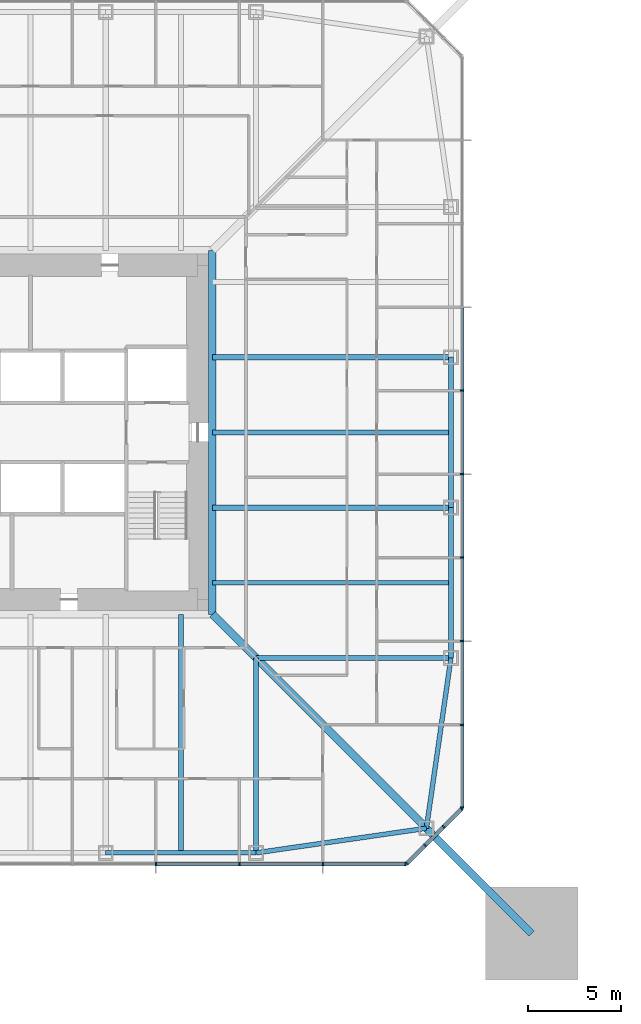
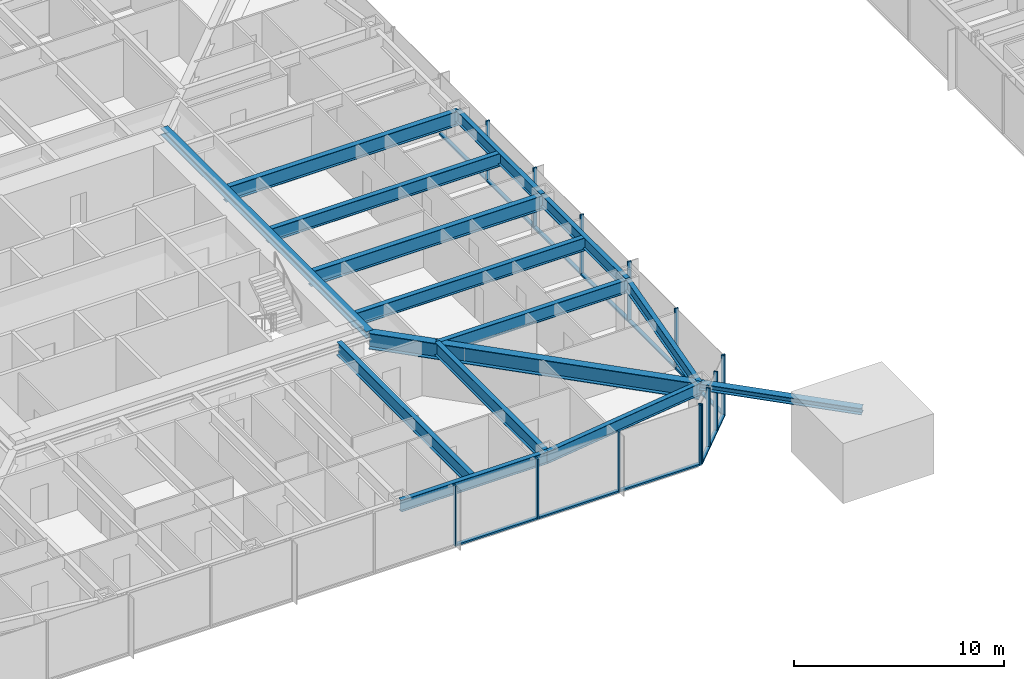
# One storey, part 5 of 26: 27 members, 14 beams, 3 elements without a shape of their own.
"""IFC4 building model written with IfcOpenShell, lengths in metres."""

import ifcopenshell
import ifcopenshell.guid

model = None  # the IFC model being written
_history = None  # IfcOwnerHistory: only IFC2X3 demands one
_inside = {}  # id of a spatial element -> (the spatial element, [elements in it])
_under = {}  # id of a project, library or spatial element -> (it, [spatial elements below it])
_declared = {}  # id of a project -> (the project, [libraries it declares])
_typed = {}  # id of a type object -> (the type object, [elements of that type])
_made_of = {}  # id of a material, layer set ... -> (it, [elements and type objects made of it])


def new_model(schema):
    """Start an empty IFC model of exactly this schema.

    Asked for "IFC4X3", IfcOpenShell would pick the latest addendum, in which some entities
    have other attributes; the version numbers below select the first issue.
    IFC2X3 requires an IfcOwnerHistory on every rooted entity: one is made here for all.
    """
    global model, _history
    if schema == "IFC4X3":
        model = ifcopenshell.file(schema_version=(4, 3, 0, 0))
    else:
        model = ifcopenshell.file(schema=schema)
    _inside.clear()
    _under.clear()
    _declared.clear()
    _typed.clear()
    _made_of.clear()
    _history = None
    if model.schema == "IFC2X3":
        org = make("IfcOrganization", Name="unknown")
        user = make(
            "IfcPersonAndOrganization",
            ThePerson=make("IfcPerson", FamilyName="unknown"),
            TheOrganization=org,
        )
        app = make(
            "IfcApplication",
            ApplicationDeveloper=org,
            Version="unknown",
            ApplicationFullName="unknown",
            ApplicationIdentifier="unknown",
        )
        _history = make(
            "IfcOwnerHistory",
            OwningUser=user,
            OwningApplication=app,
            ChangeAction="ADDED",
            CreationDate=0,
        )
    return model


def make(cls, **values):
    """One entity of the class cls with the attributes given. An attribute that is None is left unset."""
    return model.create_entity(
        cls, **{name: value for name, value in values.items() if value is not None}
    )


def rooted(cls, **values):
    """An entity with a GlobalId (a new one), such as an element, a storey or a relation."""
    return make(cls, GlobalId=ifcopenshell.guid.new(), OwnerHistory=_history, **values)


def si_unit(unit_type, name, prefix=None):
    """IfcSIUnit, for example si_unit("LENGTHUNIT", "METRE", prefix="MILLI")."""
    return make("IfcSIUnit", UnitType=unit_type, Prefix=prefix, Name=name)


def assignment(units):
    """IfcUnitAssignment: the units of a project."""
    return None if units is None else make("IfcUnitAssignment", Units=units)


def point(xyz):
    """IfcCartesianPoint."""
    return None if xyz is None else make("IfcCartesianPoint", Coordinates=xyz)


def direction(xyz):
    """IfcDirection."""
    return None if xyz is None else make("IfcDirection", DirectionRatios=xyz)


def frame(location, z_axis=None, x_axis=None):
    """IfcAxis2Placement3D, a coordinate frame: its origin and axes. An axis left out is left unset."""
    return make(
        "IfcAxis2Placement3D",
        Location=point(location),
        Axis=direction(z_axis),
        RefDirection=direction(x_axis),
    )


def frame_2d(location, x_axis=None):
    """IfcAxis2Placement2D, a coordinate frame in the plane: its origin and x axis."""
    return make(
        "IfcAxis2Placement2D", Location=point(location), RefDirection=direction(x_axis)
    )


def origin():
    """The frame at (0, 0, 0) with its axes left unset."""
    return frame((0.0, 0.0, 0.0))


def origin_2d():
    """The frame at (0, 0) in the plane with its x axis left unset."""
    return frame_2d((0.0, 0.0))


def place(relative_to, where):
    """IfcLocalPlacement: puts the frame where relative to a parent placement (None: the world)."""
    return make(
        "IfcLocalPlacement", PlacementRelTo=relative_to, RelativePlacement=where
    )


def context(
    kind, dimensions, precision=None, world=None, true_north=None, identifier=None
):
    """IfcGeometricRepresentationContext, for example the 3D "Model" context."""
    return make(
        "IfcGeometricRepresentationContext",
        ContextIdentifier=identifier,
        ContextType=kind,
        CoordinateSpaceDimension=dimensions,
        Precision=precision,
        WorldCoordinateSystem=world,
        TrueNorth=true_north,
    )


def subcontext(parent, identifier, kind, view, scale=None):
    """IfcGeometricRepresentationSubContext, for example "Body" below "Model"."""
    return make(
        "IfcGeometricRepresentationSubContext",
        ContextIdentifier=identifier,
        ContextType=kind,
        ParentContext=parent,
        TargetScale=scale,
        TargetView=view,
    )


def project(units=None, contexts=None):
    """IfcProject with its units and contexts."""
    return rooted(
        "IfcProject",
        Name="project",
        RepresentationContexts=contexts,
        UnitsInContext=assignment(units),
    )


def spatial(cls, under=None, at=None, **own):
    """A site, building, storey or space (cls), placed at a placement, below another one or the project."""
    s = rooted(cls, ObjectPlacement=at, **own)
    if under is not None:
        _under.setdefault(under.id(), (under, []))[1].append(s)
    return s


def profile(cls, at=None, kind="AREA", **sizes):
    """A parametric profile (cls). Its sizes go by their IFC names, for example OverallWidth=200.0."""
    return make(cls, ProfileType=kind, Position=at, **sizes)


def rectangle(**sizes):
    """IfcRectangleProfileDef."""
    return profile("IfcRectangleProfileDef", **sizes)


def i_section(**sizes):
    """IfcIShapeProfileDef."""
    return profile("IfcIShapeProfileDef", **sizes)


def extrude(swept, where, along, depth):
    """IfcExtrudedAreaSolid: the profile swept, set in the frame where, extruded along a direction by depth."""
    return make(
        "IfcExtrudedAreaSolid",
        SweptArea=swept,
        Position=where,
        ExtrudedDirection=direction(along),
        Depth=depth,
    )


def shape(context_of_items, identifier, shape_type, items):
    """IfcShapeRepresentation: the items that make up one representation, for example the "Body"."""
    return make(
        "IfcShapeRepresentation",
        ContextOfItems=context_of_items,
        RepresentationIdentifier=identifier,
        RepresentationType=shape_type,
        Items=items,
    )


def material(Name=None, Category=None):
    """IfcMaterial."""
    return make("IfcMaterial", Name=Name, Category=Category)


def material_profile(
    of_material, cross_section, Name=None, Category=None, Priority=None
):
    """IfcMaterialProfile: a cross section and its material."""
    return make(
        "IfcMaterialProfile",
        Name=Name,
        Material=of_material,
        Profile=cross_section,
        Priority=Priority,
        Category=Category,
    )


def profile_set(profiles, Name=None, composite=None):
    """IfcMaterialProfileSet."""
    return make(
        "IfcMaterialProfileSet",
        Name=Name,
        MaterialProfiles=profiles,
        CompositeProfile=composite,
    )


def made_of(thing, what):
    """Note that an element or type object is made of a material, layer set ...; save() writes the relation."""
    if what is not None:
        _made_of.setdefault(what.id(), (what, []))[1].append(thing)
    return thing


def type_object(cls, material=None, **own):
    """A type object (cls), such as IfcWallType, which elements share."""
    return made_of(rooted(cls, **own), material)


def element(
    cls,
    number,
    at=None,
    inside=None,
    cuts=None,
    type_object=None,
    material=None,
    context=None,
    identifier="Body",
    shape_type=None,
    held_by="IfcProductDefinitionShape",
    body=None,
    shapes=None,
    **own,
):
    """One element of the class cls, such as IfcWall. Its Tag is "e" and its number.

    at: its placement. inside: the storey or other place that contains it. cuts: it is an
    opening in that element (IfcRelVoidsElement). A single representation is given by context,
    identifier, shape_type and body (its items); several are given by shapes. held_by: the class
    of the entity that holds the representations. save() writes the other relations.
    """
    e = rooted(cls, Tag="e%d" % number, ObjectPlacement=at, **own)
    if body is not None:
        shapes = [shape(context, identifier, shape_type, body)]
    if shapes is not None:
        e.Representation = make(held_by, Representations=shapes)
    if inside is not None:
        _inside.setdefault(inside.id(), (inside, []))[1].append(e)
    if cuts is not None:
        rooted(
            "IfcRelVoidsElement", RelatingBuildingElement=cuts, RelatedOpeningElement=e
        )
    if type_object is not None:
        _typed.setdefault(type_object.id(), (type_object, []))[1].append(e)
    return made_of(e, material)


def aggregate(whole, parts):
    """IfcRelAggregates: a whole, such as a stair, and the parts it consists of."""
    return rooted("IfcRelAggregates", RelatingObject=whole, RelatedObjects=parts)


def save(model, path):
    """Write the relations noted so far, then the file.

    IfcRelAggregates (storeys below a building ...), IfcRelContainedInSpatialStructure (elements
    in a storey), IfcRelDefinesByType, IfcRelAssociatesMaterial and IfcRelDeclares: one each for
    every whole, place, type object, material and project.
    """
    for whole, parts in _under.values():
        aggregate(whole, parts)
    for where, things in _inside.values():
        rooted(
            "IfcRelContainedInSpatialStructure",
            RelatedElements=things,
            RelatingStructure=where,
        )
    for kind, things in _typed.values():
        rooted("IfcRelDefinesByType", RelatedObjects=things, RelatingType=kind)
    for what, things in _made_of.values():
        rooted("IfcRelAssociatesMaterial", RelatedObjects=things, RelatingMaterial=what)
    for by, libraries in _declared.values():
        rooted("IfcRelDeclares", RelatingContext=by, RelatedDefinitions=libraries)
    model.write(path)


model = new_model("IFC4")

# Units and contexts
model_context = context("Model", 3, precision=1e-05, world=origin(), true_north=direction((0.0, 1.0)))
body_context = subcontext(model_context, "Body", "Model", "MODEL_VIEW")
ifc_project = project(units=[si_unit("LENGTHUNIT", "METRE"), si_unit("AREAUNIT", "SQUARE_METRE"), si_unit("VOLUMEUNIT", "CUBIC_METRE"), si_unit("PLANEANGLEUNIT", "RADIAN"), si_unit("MASSUNIT", "GRAM", prefix="KILO")], contexts=[model_context])

# Site, building, storey
site_placement = place(None, origin())
site = spatial("IfcSite", under=ifc_project, at=site_placement, CompositionType="ELEMENT")
building_placement = place(site_placement, origin())
building = spatial("IfcBuilding", under=site, at=building_placement, Name="Iwan Alto Co-Living Towers", CompositionType="ELEMENT")
storey_placement = place(building_placement, frame((0.0, 0.0, 46.5)))
storey = spatial("IfcBuildingStorey", under=building, at=storey_placement, Name="L12", CompositionType="ELEMENT", Elevation=46.5)

# Curtain wall, members
ifc_material_1 = material(Name="Bronze aluminium unitised frame", Category="aluminium")
curtain_wall_type_1 = type_object("IfcCurtainWallType", Name="CURTAIN WALL CW-A", PredefinedType="NOTDEFINED", material=ifc_material_1)
curtain_wall_1_placement = place(storey_placement, origin())
curtain_wall_1 = element("IfcCurtainWall", 1, at=curtain_wall_1_placement, inside=storey, type_object=curtain_wall_type_1, Name="T1 curtain wall S L12", PredefinedType="NOTDEFINED")
ifc_material_2 = material(Name="Aluminium 6063-T6 bronze anodised", Category="aluminium")
ifc_material_profile_1 = material_profile(ifc_material_2, rectangle(XDim=0.199951171875, YDim=0.080078125, at=origin_2d()), Name="AL 80X200")
ifc_profile_set_1 = profile_set([ifc_material_profile_1], Name="Aluminium 6063-T6 bronze anodised")
member_type_1 = type_object("IfcMemberType", Name="CW-A MULLION 80X200", PredefinedType="MULLION", material=ifc_profile_set_1)
member_1_placement = place(storey_placement, frame((6.75, -23.25, 0.0), z_axis=(0.0, 0.0, 1.0), x_axis=(0.0, 1.0, 0.0)))
member_1 = element("IfcMember", 2, at=member_1_placement, type_object=member_type_1, Name="CW-A mullion 7", PredefinedType="MULLION", context=body_context, shape_type="SweptSolid", body=[
    extrude(rectangle(XDim=0.199951171875, YDim=0.080078125, at=origin_2d()), origin(), (0.0, 0.0, 1.0), 3.5),
])
member_2_placement = place(storey_placement, frame((11.25, -23.25, 0.0), z_axis=(0.0, 0.0, 1.0), x_axis=(0.0, 1.0, 0.0)))
member_2 = element("IfcMember", 3, at=member_2_placement, type_object=member_type_1, Name="CW-A mullion 8", PredefinedType="MULLION", context=body_context, shape_type="SweptSolid", body=[
    extrude(rectangle(XDim=0.199951171875, YDim=0.080078125, at=origin_2d()), origin(), (0.0, 0.0, 1.0), 3.5),
])
member_3_placement = place(storey_placement, frame((15.75, -23.25, 0.0), z_axis=(0.0, 0.0, 1.0), x_axis=(0.0, 1.0, 0.0)))
member_3 = element("IfcMember", 4, at=member_3_placement, type_object=member_type_1, Name="CW-A mullion 9", PredefinedType="MULLION", context=body_context, shape_type="SweptSolid", body=[
    extrude(rectangle(XDim=0.199951171875, YDim=0.080078125, at=origin_2d()), origin(), (0.0, 0.0, 1.0), 3.5),
])
member_4_placement = place(storey_placement, frame((20.2099609375, -23.25, 0.0), z_axis=(0.0, 0.0, 1.0), x_axis=(0.0, 1.0, 0.0)))
member_4 = element("IfcMember", 5, at=member_4_placement, type_object=member_type_1, Name="CW-A mullion 10", PredefinedType="MULLION", context=body_context, shape_type="SweptSolid", body=[
    extrude(rectangle(XDim=0.199951171875, YDim=0.080078125, at=origin_2d()), origin(), (0.0, 0.0, 1.0), 3.5),
])

curtain_wall_2_placement = place(storey_placement, origin())
curtain_wall_2 = element("IfcCurtainWall", 6, at=curtain_wall_2_placement, inside=storey, type_object=curtain_wall_type_1, Name="T1 curtain wall E L12", PredefinedType="NOTDEFINED")
member_5_placement = place(storey_placement, frame((23.25, -20.2099609375, 0.0), z_axis=(0.0, 0.0, 1.0), x_axis=(-1.0, 0.0, 0.0)))
member_5 = element("IfcMember", 7, at=member_5_placement, type_object=member_type_1, Name="CW-A mullion 1", PredefinedType="MULLION", context=body_context, shape_type="SweptSolid", body=[
    extrude(rectangle(XDim=0.199951171875, YDim=0.080078125, at=origin_2d()), origin(), (0.0, 0.0, 1.0), 3.5),
])
member_6_placement = place(storey_placement, frame((23.25, -15.75, 0.0), z_axis=(0.0, 0.0, 1.0), x_axis=(-1.0, 0.0, 0.0)))
member_6 = element("IfcMember", 8, at=member_6_placement, type_object=member_type_1, Name="CW-A mullion 2", PredefinedType="MULLION", context=body_context, shape_type="SweptSolid", body=[
    extrude(rectangle(XDim=0.199951171875, YDim=0.080078125, at=origin_2d()), origin(), (0.0, 0.0, 1.0), 3.5),
])
member_7_placement = place(storey_placement, frame((23.25, -11.25, 0.0), z_axis=(0.0, 0.0, 1.0), x_axis=(-1.0, 0.0, 0.0)))
member_7 = element("IfcMember", 9, at=member_7_placement, type_object=member_type_1, Name="CW-A mullion 3", PredefinedType="MULLION", context=body_context, shape_type="SweptSolid", body=[
    extrude(rectangle(XDim=0.199951171875, YDim=0.080078125, at=origin_2d()), origin(), (0.0, 0.0, 1.0), 3.5),
])
member_8_placement = place(storey_placement, frame((23.25, -6.75, 0.0), z_axis=(0.0, 0.0, 1.0), x_axis=(-1.0, 0.0, 0.0)))
member_8 = element("IfcMember", 10, at=member_8_placement, type_object=member_type_1, Name="CW-A mullion 4", PredefinedType="MULLION", context=body_context, shape_type="SweptSolid", body=[
    extrude(rectangle(XDim=0.199951171875, YDim=0.080078125, at=origin_2d()), origin(), (0.0, 0.0, 1.0), 3.5),
])
member_9_placement = place(storey_placement, frame((23.25, -2.25, 0.0), z_axis=(0.0, 0.0, 1.0), x_axis=(-1.0, 0.0, 0.0)))
member_9 = element("IfcMember", 11, at=member_9_placement, type_object=member_type_1, Name="CW-A mullion 5", PredefinedType="MULLION", context=body_context, shape_type="SweptSolid", body=[
    extrude(rectangle(XDim=0.199951171875, YDim=0.080078125, at=origin_2d()), origin(), (0.0, 0.0, 1.0), 3.5),
])
member_10_placement = place(storey_placement, frame((23.25, 2.25, 0.0), z_axis=(0.0, 0.0, 1.0), x_axis=(-1.0, 0.0, 0.0)))
member_10 = element("IfcMember", 12, at=member_10_placement, type_object=member_type_1, Name="CW-A mullion 6", PredefinedType="MULLION", context=body_context, shape_type="SweptSolid", body=[
    extrude(rectangle(XDim=0.199951171875, YDim=0.080078125, at=origin_2d()), origin(), (0.0, 0.0, 1.0), 3.5),
])

# Member
ifc_material_3 = material(Name="Aluminium 6063-T6 bronze anodised", Category="aluminium")
ifc_material_profile_2 = material_profile(ifc_material_3, rectangle(XDim=0.199951171875, YDim=0.10009765625, at=origin_2d()), Name="AL 200X100")
ifc_profile_set_2 = profile_set([ifc_material_profile_2], Name="Aluminium 6063-T6 bronze anodised")
member_type_2 = type_object("IfcMemberType", Name="CW-A TRANSOM 200X100", PredefinedType="USERDEFINED", material=ifc_profile_set_2)
member_11_placement = place(storey_placement, frame((6.7900390625, -23.25, 0.050048828125), z_axis=(1.0, 0.0, 0.0), x_axis=(0.0, 1.0, 0.0)))
member_11 = element("IfcMember", 13, at=member_11_placement, type_object=member_type_2, Name="CW-A transom 7.1", ObjectType="TRANSOM", PredefinedType="USERDEFINED", context=body_context, shape_type="SweptSolid", body=[
    extrude(rectangle(XDim=0.199951171875, YDim=0.10009765625, at=origin_2d()), origin(), (0.0, 0.0, 1.0), 4.419921875),
])

member_12_placement = place(storey_placement, frame((11.2900390625, -23.25, 0.050048828125), z_axis=(1.0, 0.0, 0.0), x_axis=(0.0, 1.0, 0.0)))
member_12 = element("IfcMember", 14, at=member_12_placement, type_object=member_type_2, Name="CW-A transom 8.1", ObjectType="TRANSOM", PredefinedType="USERDEFINED", context=body_context, shape_type="SweptSolid", body=[
    extrude(rectangle(XDim=0.199951171875, YDim=0.10009765625, at=origin_2d()), origin(), (0.0, 0.0, 1.0), 4.419921875),
])

member_13_placement = place(storey_placement, frame((15.7900390625, -23.25, 0.050048828125), z_axis=(1.0, 0.0, 0.0), x_axis=(0.0, 1.0, 0.0)))
member_13 = element("IfcMember", 15, at=member_13_placement, type_object=member_type_2, Name="CW-A transom 9.1", ObjectType="TRANSOM", PredefinedType="USERDEFINED", context=body_context, shape_type="SweptSolid", body=[
    extrude(rectangle(XDim=0.199951171875, YDim=0.10009765625, at=origin_2d()), origin(), (0.0, 0.0, 1.0), 4.3798828125),
])

aggregate(curtain_wall_1, [member_1, member_2, member_3, member_4, member_11, member_12, member_13])

member_14_placement = place(storey_placement, frame((23.25, -20.169921875, 0.050048828125), z_axis=(0.0, 1.0, 0.0), x_axis=(-1.0, 0.0, 0.0)))
member_14 = element("IfcMember", 16, at=member_14_placement, type_object=member_type_2, Name="CW-A transom 1.1", ObjectType="TRANSOM", PredefinedType="USERDEFINED", context=body_context, shape_type="SweptSolid", body=[
    extrude(rectangle(XDim=0.199951171875, YDim=0.10009765625, at=origin_2d()), origin(), (0.0, 0.0, 1.0), 4.3798828125),
])

member_15_placement = place(storey_placement, frame((23.25, -15.7099609375, 0.050048828125), z_axis=(0.0, 1.0, 0.0), x_axis=(-1.0, 0.0, 0.0)))
member_15 = element("IfcMember", 17, at=member_15_placement, type_object=member_type_2, Name="CW-A transom 2.1", ObjectType="TRANSOM", PredefinedType="USERDEFINED", context=body_context, shape_type="SweptSolid", body=[
    extrude(rectangle(XDim=0.199951171875, YDim=0.10009765625, at=origin_2d()), origin(), (0.0, 0.0, 1.0), 4.419921875),
])

member_16_placement = place(storey_placement, frame((23.25, -11.2099609375, 0.050048828125), z_axis=(0.0, 1.0, 0.0), x_axis=(-1.0, 0.0, 0.0)))
member_16 = element("IfcMember", 18, at=member_16_placement, type_object=member_type_2, Name="CW-A transom 3.1", ObjectType="TRANSOM", PredefinedType="USERDEFINED", context=body_context, shape_type="SweptSolid", body=[
    extrude(rectangle(XDim=0.199951171875, YDim=0.10009765625, at=origin_2d()), origin(), (0.0, 0.0, 1.0), 4.419921875),
])

member_17_placement = place(storey_placement, frame((23.25, -6.7099609375, 0.050048828125), z_axis=(0.0, 1.0, 0.0), x_axis=(-1.0, 0.0, 0.0)))
member_17 = element("IfcMember", 19, at=member_17_placement, type_object=member_type_2, Name="CW-A transom 4.1", ObjectType="TRANSOM", PredefinedType="USERDEFINED", context=body_context, shape_type="SweptSolid", body=[
    extrude(rectangle(XDim=0.199951171875, YDim=0.10009765625, at=origin_2d()), origin(), (0.0, 0.0, 1.0), 4.419921875),
])

member_18_placement = place(storey_placement, frame((23.25, -2.2099609375, 0.050048828125), z_axis=(0.0, 1.0, 0.0), x_axis=(-1.0, 0.0, 0.0)))
member_18 = element("IfcMember", 20, at=member_18_placement, type_object=member_type_2, Name="CW-A transom 5.1", ObjectType="TRANSOM", PredefinedType="USERDEFINED", context=body_context, shape_type="SweptSolid", body=[
    extrude(rectangle(XDim=0.199951171875, YDim=0.10009765625, at=origin_2d()), origin(), (0.0, 0.0, 1.0), 4.419921875),
])

member_19_placement = place(storey_placement, frame((23.25, 2.2900390625, 0.050048828125), z_axis=(0.0, 1.0, 0.0), x_axis=(-1.0, 0.0, 0.0)))
member_19 = element("IfcMember", 21, at=member_19_placement, type_object=member_type_2, Name="CW-A transom 6.1", ObjectType="TRANSOM", PredefinedType="USERDEFINED", context=body_context, shape_type="SweptSolid", body=[
    extrude(rectangle(XDim=0.199951171875, YDim=0.10009765625, at=origin_2d()), origin(), (0.0, 0.0, 1.0), 4.419921875),
])

aggregate(curtain_wall_2, [member_5, member_6, member_7, member_8, member_9, member_10, member_14, member_15, member_16, member_17, member_18, member_19])

# Curtain wall, members
ifc_material_4 = material(Name="Bronze aluminium unitised frame", Category="aluminium")
curtain_wall_type_2 = type_object("IfcCurtainWallType", Name="CURTAIN WALL CW-B", PredefinedType="NOTDEFINED", material=ifc_material_4)
curtain_wall_3_placement = place(storey_placement, origin())
curtain_wall_3 = element("IfcCurtainWall", 22, at=curtain_wall_3_placement, inside=storey, type_object=curtain_wall_type_2, Name="T1 chamfer curtain wall SE L12", PredefinedType="NOTDEFINED")
ifc_material_5 = material(Name="Aluminium 6063-T6 bronze anodised", Category="aluminium")
ifc_material_profile_3 = material_profile(ifc_material_5, rectangle(XDim=0.199951171875, YDim=0.080078125, at=origin_2d()), Name="AL 80X200")
ifc_profile_set_3 = profile_set([ifc_material_profile_3], Name="Aluminium 6063-T6 bronze anodised")
member_type_3 = type_object("IfcMemberType", Name="CW-B MULLION 80X200", PredefinedType="MULLION", material=ifc_profile_set_3)
member_20_placement = place(storey_placement, frame((20.2783203125, -23.2216796875, 0.0), z_axis=(0.0, 0.0, 1.0), x_axis=(-0.707106781187, 0.707106781187, 0.0)))
member_20 = element("IfcMember", 23, at=member_20_placement, type_object=member_type_3, Name="CW-B mullion 1", PredefinedType="MULLION", context=body_context, shape_type="SweptSolid", body=[
    extrude(rectangle(XDim=0.199951171875, YDim=0.080078125, at=origin_2d()), origin(), (0.0, 0.0, 1.0), 3.5),
])
member_21_placement = place(storey_placement, frame((21.25, -22.25, 0.0), z_axis=(0.0, 0.0, 1.0), x_axis=(-0.707106781187, 0.707106781187, 0.0)))
member_21 = element("IfcMember", 24, at=member_21_placement, type_object=member_type_3, Name="CW-B mullion 2", PredefinedType="MULLION", context=body_context, shape_type="SweptSolid", body=[
    extrude(rectangle(XDim=0.199951171875, YDim=0.080078125, at=origin_2d()), origin(), (0.0, 0.0, 1.0), 3.5),
])
member_22_placement = place(storey_placement, frame((22.25, -21.25, 0.0), z_axis=(0.0, 0.0, 1.0), x_axis=(-0.707106781187, 0.707106781187, 0.0)))
member_22 = element("IfcMember", 25, at=member_22_placement, type_object=member_type_3, Name="CW-B mullion 3", PredefinedType="MULLION", context=body_context, shape_type="SweptSolid", body=[
    extrude(rectangle(XDim=0.199951171875, YDim=0.080078125, at=origin_2d()), origin(), (0.0, 0.0, 1.0), 3.5),
])
member_23_placement = place(storey_placement, frame((23.2216796875, -20.2783203125, 0.0), z_axis=(0.0, 0.0, 1.0), x_axis=(-0.707106781187, 0.707106781187, 0.0)))
member_23 = element("IfcMember", 26, at=member_23_placement, type_object=member_type_3, Name="CW-B mullion 4", PredefinedType="MULLION", context=body_context, shape_type="SweptSolid", body=[
    extrude(rectangle(XDim=0.199951171875, YDim=0.080078125, at=origin_2d()), origin(), (0.0, 0.0, 1.0), 3.5),
])
ifc_material_6 = material(Name="Aluminium 6063-T6 bronze anodised", Category="aluminium")
ifc_material_profile_4 = material_profile(ifc_material_6, rectangle(XDim=0.199951171875, YDim=0.10009765625, at=origin_2d()), Name="AL 200X100")
ifc_profile_set_4 = profile_set([ifc_material_profile_4], Name="Aluminium 6063-T6 bronze anodised")
member_type_4 = type_object("IfcMemberType", Name="CW-B TRANSOM 200X100", PredefinedType="USERDEFINED", material=ifc_profile_set_4)
member_24_placement = place(storey_placement, frame((20.306640625, -23.193359375, 0.050048828125), z_axis=(0.707106781187, 0.707106781187, 0.0), x_axis=(-0.707106781187, 0.707106781187, 0.0)))
member_24 = element("IfcMember", 27, at=member_24_placement, type_object=member_type_4, Name="CW-B transom 1.1", ObjectType="TRANSOM", PredefinedType="USERDEFINED", context=body_context, shape_type="SweptSolid", body=[
    extrude(rectangle(XDim=0.199951171875, YDim=0.10009765625, at=origin_2d()), origin(), (0.0, 0.0, 1.0), 1.2939453125),
])
member_25_placement = place(storey_placement, frame((21.2783203125, -22.2216796875, 0.050048828125), z_axis=(0.707106781187, 0.707106781187, 0.0), x_axis=(-0.707106781187, 0.707106781187, 0.0)))
member_25 = element("IfcMember", 28, at=member_25_placement, type_object=member_type_4, Name="CW-B transom 2.1", ObjectType="TRANSOM", PredefinedType="USERDEFINED", context=body_context, shape_type="SweptSolid", body=[
    extrude(rectangle(XDim=0.199951171875, YDim=0.10009765625, at=origin_2d()), origin(), (0.0, 0.0, 1.0), 1.334228515625),
])
member_26_placement = place(storey_placement, frame((22.2783203125, -21.2216796875, 0.050048828125), z_axis=(0.707106781187, 0.707106781187, 0.0), x_axis=(-0.707106781187, 0.707106781187, 0.0)))
member_26 = element("IfcMember", 29, at=member_26_placement, type_object=member_type_4, Name="CW-B transom 3.1", ObjectType="TRANSOM", PredefinedType="USERDEFINED", context=body_context, shape_type="SweptSolid", body=[
    extrude(rectangle(XDim=0.199951171875, YDim=0.10009765625, at=origin_2d()), origin(), (0.0, 0.0, 1.0), 1.2939453125),
])
aggregate(curtain_wall_3, [member_20, member_21, member_22, member_23, member_24, member_25, member_26])

# Beams
ifc_material_7 = material(Name="Steel ASTM A992 Gr 50", Category="steel")
ifc_material_profile_5 = material_profile(ifc_material_7, i_section(OverallWidth=0.40380859375, OverallDepth=0.406494140625, WebThickness=0.027099609375, FlangeThickness=0.043701171875, at=origin_2d()), Name="W14X233")
ifc_profile_set_5 = profile_set([ifc_material_profile_5], Name="Steel ASTM A992 Gr 50")
beam_type_1 = type_object("IfcBeamType", Name="T1 CORE LEDGER BEAM W14X233", PredefinedType="BEAM", material=ifc_profile_set_5)
beam_1_placement = place(storey_placement, frame((9.802001953125, -9.802001953125, 3.06689453125), z_axis=(0.0, 1.0, 0.0), x_axis=(-1.0, 0.0, 0.0)))
element("IfcBeam", 30, at=beam_1_placement, inside=storey, type_object=beam_type_1, Name="T1 core ledger beam E L13", PredefinedType="BEAM", context=body_context, shape_type="SweptSolid", body=[
    extrude(i_section(OverallWidth=0.40380859375, OverallDepth=0.406494140625, WebThickness=0.027099609375, FlangeThickness=0.043701171875, at=origin_2d()), origin(), (0.0, 0.0, 1.0), 19.60400390625),
])
ifc_material_8 = material(Name="Steel ASTM A992 Gr 50", Category="steel")
ifc_material_profile_6 = material_profile(ifc_material_8, i_section(OverallWidth=0.419189453125, OverallDepth=0.927001953125, WebThickness=0.019287109375, FlangeThickness=0.031982421875, at=origin_2d()), Name="W36X231")
ifc_profile_set_6 = profile_set([ifc_material_profile_6], Name="Steel ASTM A992 Gr 50")
beam_type_2 = type_object("IfcBeamType", Name="T1 CORNER GIRDER W36X231", PredefinedType="BEAM", material=ifc_profile_set_6)
beam_2_placement = place(storey_placement, frame((21.32568359375, -21.32568359375, 2.806396484375), z_axis=(-0.707106781187, 0.707106781187, 0.0), x_axis=(-0.707106781187, -0.707106781187, 0.0)))
element("IfcBeam", 31, at=beam_2_placement, inside=storey, type_object=beam_type_2, Name="T1 corner girder CSE L13", PredefinedType="BEAM", context=body_context, shape_type="SweptSolid", body=[
    extrude(i_section(OverallWidth=0.419189453125, OverallDepth=0.927001953125, WebThickness=0.019287109375, FlangeThickness=0.031982421875, at=origin_2d()), origin(), (0.0, 0.0, 1.0), 16.296875),
])
ifc_material_9 = material(Name="Steel ASTM A992 Gr 50", Category="steel")
ifc_material_profile_7 = material_profile(ifc_material_9, i_section(OverallWidth=0.25390625, OverallDepth=0.683349609375, WebThickness=0.012451171875, FlangeThickness=0.018798828125, at=origin_2d()), Name="W27X94")
ifc_profile_set_7 = profile_set([ifc_material_profile_7], Name="Steel ASTM A992 Gr 50")
beam_type_3 = type_object("IfcBeamType", Name="T1 EDGE BEAM W27X94", PredefinedType="BEAM", material=ifc_profile_set_7)
beam_3_placement = place(storey_placement, frame((4.050048828125, -22.64990234375, 2.928466796875), z_axis=(1.0, 0.0, 0.0), x_axis=(0.0, 1.0, 0.0)))
element("IfcBeam", 32, at=beam_3_placement, inside=storey, type_object=beam_type_3, Name="T1 edge beam S3 L13", PredefinedType="BEAM", context=body_context, shape_type="SweptSolid", body=[
    extrude(i_section(OverallWidth=0.25390625, OverallDepth=0.683349609375, WebThickness=0.012451171875, FlangeThickness=0.018798828125, at=origin_2d()), origin(), (0.0, 0.0, 1.0), 8.099853515625),
])
for number, where, z_axis, x_axis, name in (
    (33, (12.14990234375, -22.64990234375, 2.928466796875), (0.989746234347, 0.142836940589, 0.0), (-0.142836940589, 0.989746234347, 0.0), "T1 edge beam S4 L13"),
    (34, (21.32568359375, -21.32568359375, 2.928466796875), (0.142836940589, 0.989746234347, 0.0), (-0.989746234347, 0.142836940589, 0.0), "T1 edge beam CSE L13"),
):
    element("IfcBeam", number, at=place(storey_placement, frame(where, z_axis=z_axis, x_axis=x_axis)), inside=storey, type_object=beam_type_3, Name=name, PredefinedType="BEAM", context=body_context, shape_type="SweptSolid", body=[
        extrude(i_section(OverallWidth=0.25390625, OverallDepth=0.683349609375, WebThickness=0.012451171875, FlangeThickness=0.018798828125, at=origin_2d()), origin(), (0.0, 0.0, 1.0), 9.270751953125),
    ])
beam_4_placement = place(storey_placement, frame((22.64990234375, -12.14990234375, 2.928466796875), z_axis=(0.0, 1.0, 0.0), x_axis=(-1.0, 0.0, 0.0)))
element("IfcBeam", 35, at=beam_4_placement, inside=storey, type_object=beam_type_3, Name="T1 edge beam E1 L13", PredefinedType="BEAM", context=body_context, shape_type="SweptSolid", body=[
    extrude(i_section(OverallWidth=0.25390625, OverallDepth=0.683349609375, WebThickness=0.012451171875, FlangeThickness=0.018798828125, at=origin_2d()), origin(), (0.0, 0.0, 1.0), 8.099853515625),
])
beam_5_placement = place(storey_placement, frame((22.64990234375, -4.050048828125, 2.928466796875), z_axis=(0.0, 1.0, 0.0), x_axis=(-1.0, 0.0, 0.0)))
element("IfcBeam", 36, at=beam_5_placement, inside=storey, type_object=beam_type_3, Name="T1 edge beam E2 L13", PredefinedType="BEAM", context=body_context, shape_type="SweptSolid", body=[
    extrude(i_section(OverallWidth=0.25390625, OverallDepth=0.683349609375, WebThickness=0.012451171875, FlangeThickness=0.018798828125, at=origin_2d()), origin(), (0.0, 0.0, 1.0), 8.10009765625),
])

# Member
ifc_material_10 = material(Name="Steel ASTM A992 Gr 50", Category="steel")
ifc_material_profile_8 = material_profile(ifc_material_10, i_section(OverallWidth=0.393798828125, OverallDepth=0.3759765625, WebThickness=0.017333984375, FlangeThickness=0.027587890625, at=origin_2d()), Name="W14X145")
ifc_profile_set_8 = profile_set([ifc_material_profile_8], Name="Steel ASTM A992 Gr 50")
member_type_5 = type_object("IfcMemberType", Name="T1 MEGA COLUMN FLOOR TIE W14X145", PredefinedType="STRUT", material=ifc_profile_set_8)
member_27_placement = place(storey_placement, frame((27.0, -27.0, 3.08203125), z_axis=(-0.707106781187, 0.707106781187, 0.0), x_axis=(-0.707106781187, -0.707106781187, 0.0)))
element("IfcMember", 37, at=member_27_placement, inside=storey, type_object=member_type_5, Name="T1 mega column floor tie SE L13", PredefinedType="STRUT", context=body_context, shape_type="SweptSolid", body=[
    extrude(i_section(OverallWidth=0.393798828125, OverallDepth=0.3759765625, WebThickness=0.017333984375, FlangeThickness=0.027587890625, at=origin_2d()), origin(), (0.0, 0.0, 1.0), 8.024658203125),
])

# Beams
ifc_material_11 = material(Name="Steel ASTM A992 Gr 50", Category="steel")
ifc_material_profile_9 = material_profile(ifc_material_11, i_section(OverallWidth=0.2666015625, OverallDepth=0.761962890625, WebThickness=0.014404296875, FlangeThickness=0.021484375, at=origin_2d()), Name="W30X116")
ifc_profile_set_9 = profile_set([ifc_material_profile_9], Name="Steel ASTM A992 Gr 50")
beam_type_4 = type_object("IfcBeamType", Name="T1 RADIAL BEAM W30X116", PredefinedType="BEAM", material=ifc_profile_set_9)
for number, where, z_axis, x_axis, name in (
    (38, (12.14990234375, -22.64990234375, 2.888916015625), (0.0, 1.0, 0.0), (-1.0, 0.0, 0.0), "T1 radial beam S4 L13"),
    (39, (22.64990234375, -12.14990234375, 2.888916015625), (-1.0, 0.0, 0.0), (0.0, -1.0, 0.0), "T1 radial beam E1 L13"),
):
    element("IfcBeam", number, at=place(storey_placement, frame(where, z_axis=z_axis, x_axis=x_axis)), inside=storey, type_object=beam_type_4, Name=name, PredefinedType="BEAM", context=body_context, shape_type="SweptSolid", body=[
        extrude(i_section(OverallWidth=0.2666015625, OverallDepth=0.761962890625, WebThickness=0.014404296875, FlangeThickness=0.021484375, at=origin_2d()), origin(), (0.0, 0.0, 1.0), 10.5),
    ])
ifc_material_12 = material(Name="Steel ASTM A992 Gr 50", Category="steel")
ifc_material_profile_10 = material_profile(ifc_material_12, i_section(OverallWidth=0.2919921875, OverallDepth=0.8408203125, WebThickness=0.0146484375, FlangeThickness=0.021728515625, at=origin_2d()), Name="W33X130")
ifc_profile_set_10 = profile_set([ifc_material_profile_10], Name="Steel ASTM A992 Gr 50")
beam_type_5 = type_object("IfcBeamType", Name="T1 RADIAL BEAM W33X130", PredefinedType="BEAM", material=ifc_profile_set_10)
for number, where, z_axis, x_axis, name in (
    (40, (22.64990234375, -4.050048828125, 2.849609375), (-1.0, 0.0, 0.0), (0.0, -1.0, 0.0), "T1 radial beam E2 L13"),
    (41, (22.64990234375, 4.050048828125, 2.849609375), (-1.0, 0.0, 0.0), (0.0, -1.0, 0.0), "T1 radial beam E3 L13"),
):
    element("IfcBeam", number, at=place(storey_placement, frame(where, z_axis=z_axis, x_axis=x_axis)), inside=storey, type_object=beam_type_5, Name=name, PredefinedType="BEAM", context=body_context, shape_type="SweptSolid", body=[
        extrude(i_section(OverallWidth=0.2919921875, OverallDepth=0.8408203125, WebThickness=0.0146484375, FlangeThickness=0.021728515625, at=origin_2d()), origin(), (0.0, 0.0, 1.0), 12.847900390625),
    ])
ifc_material_13 = material(Name="Steel ASTM A992 Gr 50", Category="steel")
ifc_material_profile_11 = material_profile(ifc_material_13, i_section(OverallWidth=0.2666015625, OverallDepth=0.761962890625, WebThickness=0.014404296875, FlangeThickness=0.021484375, at=origin_2d()), Name="W30X116")
ifc_profile_set_11 = profile_set([ifc_material_profile_11], Name="Steel ASTM A992 Gr 50")
beam_type_6 = type_object("IfcBeamType", Name="T1 SECONDARY BEAM W30X116", PredefinedType="JOIST", material=ifc_profile_set_11)
for number, where, z_axis, x_axis, name in (
    (42, (8.10009765625, -22.64990234375, 2.888916015625), (0.0, 1.0, 0.0), (-1.0, 0.0, 0.0), "T1 secondary beam S3 L13"),
    (43, (22.64990234375, -8.10009765625, 2.888916015625), (-1.0, 0.0, 0.0), (0.0, -1.0, 0.0), "T1 secondary beam E1 L13"),
    (44, (22.64990234375, 0.0, 2.888916015625), (-1.0, 0.0, 0.0), (0.0, -1.0, 0.0), "T1 secondary beam E2 L13"),
):
    element("IfcBeam", number, at=place(storey_placement, frame(where, z_axis=z_axis, x_axis=x_axis)), inside=storey, type_object=beam_type_6, Name=name, PredefinedType="JOIST", context=body_context, shape_type="SweptSolid", body=[
        extrude(i_section(OverallWidth=0.2666015625, OverallDepth=0.761962890625, WebThickness=0.014404296875, FlangeThickness=0.021484375, at=origin_2d()), origin(), (0.0, 0.0, 1.0), 12.847900390625),
    ])

save(model, "model.ifc")
